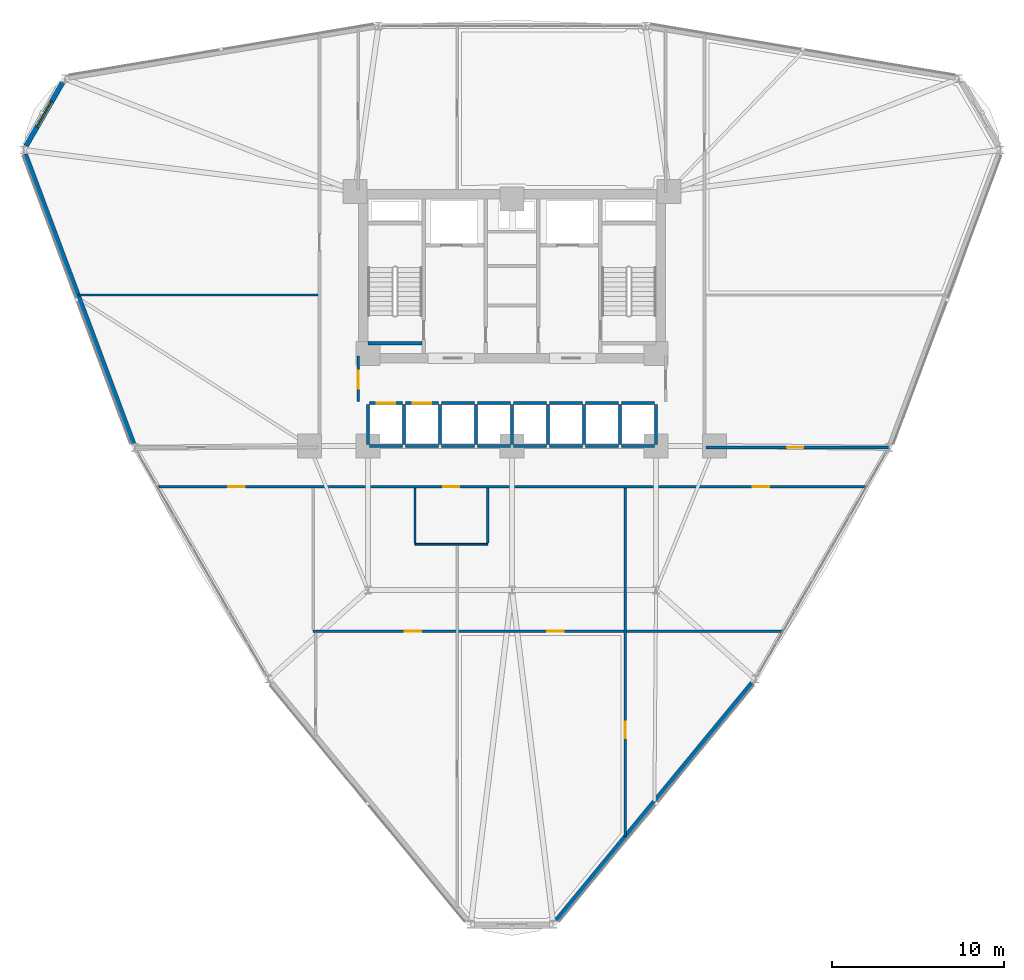
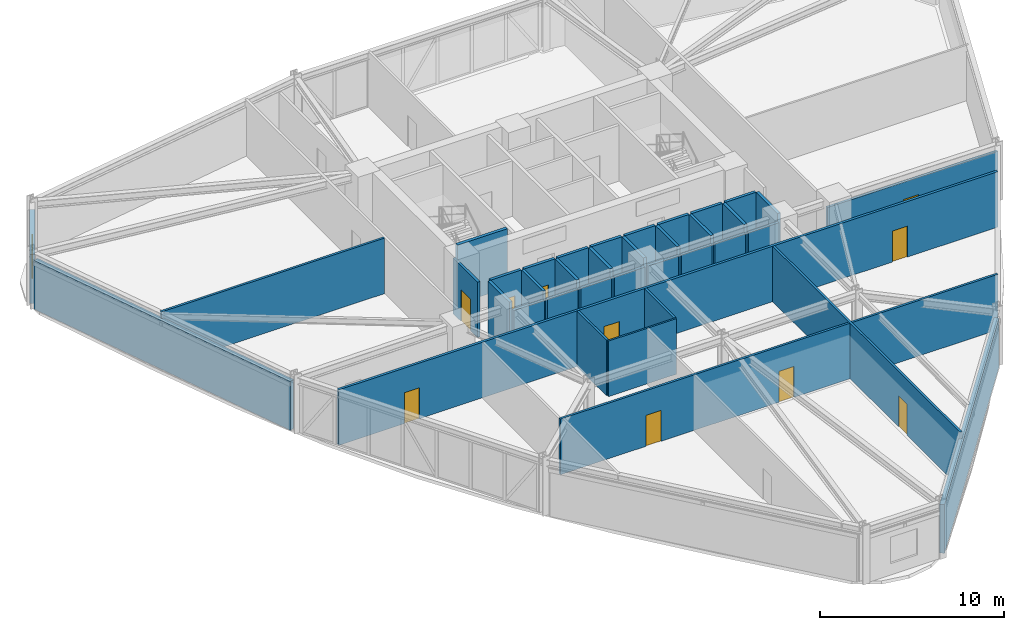
# One storey, part 16 of 22: 38 walls, 10 doors, 1 window, 11 openings.
"""IFC4 building model written with IfcOpenShell, lengths in metres."""

import ifcopenshell
import ifcopenshell.guid

model = None  # the IFC model being written
_history = None  # IfcOwnerHistory: only IFC2X3 demands one
_inside = {}  # id of a spatial element -> (the spatial element, [elements in it])
_under = {}  # id of a project, library or spatial element -> (it, [spatial elements below it])
_declared = {}  # id of a project -> (the project, [libraries it declares])
_typed = {}  # id of a type object -> (the type object, [elements of that type])
_made_of = {}  # id of a material, layer set ... -> (it, [elements and type objects made of it])


def new_model(schema):
    """Start an empty IFC model of exactly this schema.

    Asked for "IFC4X3", IfcOpenShell would pick the latest addendum, in which some entities
    have other attributes; the version numbers below select the first issue.
    IFC2X3 requires an IfcOwnerHistory on every rooted entity: one is made here for all.
    """
    global model, _history
    if schema == "IFC4X3":
        model = ifcopenshell.file(schema_version=(4, 3, 0, 0))
    else:
        model = ifcopenshell.file(schema=schema)
    _inside.clear()
    _under.clear()
    _declared.clear()
    _typed.clear()
    _made_of.clear()
    _history = None
    if model.schema == "IFC2X3":
        org = make("IfcOrganization", Name="unknown")
        user = make(
            "IfcPersonAndOrganization",
            ThePerson=make("IfcPerson", FamilyName="unknown"),
            TheOrganization=org,
        )
        app = make(
            "IfcApplication",
            ApplicationDeveloper=org,
            Version="unknown",
            ApplicationFullName="unknown",
            ApplicationIdentifier="unknown",
        )
        _history = make(
            "IfcOwnerHistory",
            OwningUser=user,
            OwningApplication=app,
            ChangeAction="ADDED",
            CreationDate=0,
        )
    return model


def make(cls, **values):
    """One entity of the class cls with the attributes given. An attribute that is None is left unset."""
    return model.create_entity(
        cls, **{name: value for name, value in values.items() if value is not None}
    )


def rooted(cls, **values):
    """An entity with a GlobalId (a new one), such as an element, a storey or a relation."""
    return make(cls, GlobalId=ifcopenshell.guid.new(), OwnerHistory=_history, **values)


def si_unit(unit_type, name, prefix=None):
    """IfcSIUnit, for example si_unit("LENGTHUNIT", "METRE", prefix="MILLI")."""
    return make("IfcSIUnit", UnitType=unit_type, Prefix=prefix, Name=name)


def derived_unit(unit_type, elements):
    """IfcDerivedUnit: a product of units, each with its exponent."""
    return make(
        "IfcDerivedUnit",
        Elements=[
            make("IfcDerivedUnitElement", Unit=unit, Exponent=power)
            for unit, power in elements
        ],
        UnitType=unit_type,
    )


def assignment(units):
    """IfcUnitAssignment: the units of a project."""
    return None if units is None else make("IfcUnitAssignment", Units=units)


def point(xyz):
    """IfcCartesianPoint."""
    return None if xyz is None else make("IfcCartesianPoint", Coordinates=xyz)


def direction(xyz):
    """IfcDirection."""
    return None if xyz is None else make("IfcDirection", DirectionRatios=xyz)


def frame(location, z_axis=None, x_axis=None):
    """IfcAxis2Placement3D, a coordinate frame: its origin and axes. An axis left out is left unset."""
    return make(
        "IfcAxis2Placement3D",
        Location=point(location),
        Axis=direction(z_axis),
        RefDirection=direction(x_axis),
    )


def frame_2d(location, x_axis=None):
    """IfcAxis2Placement2D, a coordinate frame in the plane: its origin and x axis."""
    return make(
        "IfcAxis2Placement2D", Location=point(location), RefDirection=direction(x_axis)
    )


def origin():
    """The frame at (0, 0, 0) with its axes left unset."""
    return frame((0.0, 0.0, 0.0))


def place(relative_to, where):
    """IfcLocalPlacement: puts the frame where relative to a parent placement (None: the world)."""
    return make(
        "IfcLocalPlacement", PlacementRelTo=relative_to, RelativePlacement=where
    )


def context(
    kind, dimensions, precision=None, world=None, true_north=None, identifier=None
):
    """IfcGeometricRepresentationContext, for example the 3D "Model" context."""
    return make(
        "IfcGeometricRepresentationContext",
        ContextIdentifier=identifier,
        ContextType=kind,
        CoordinateSpaceDimension=dimensions,
        Precision=precision,
        WorldCoordinateSystem=world,
        TrueNorth=true_north,
    )


def subcontext(parent, identifier, kind, view, scale=None):
    """IfcGeometricRepresentationSubContext, for example "Body" below "Model"."""
    return make(
        "IfcGeometricRepresentationSubContext",
        ContextIdentifier=identifier,
        ContextType=kind,
        ParentContext=parent,
        TargetScale=scale,
        TargetView=view,
    )


def project(units=None, contexts=None):
    """IfcProject with its units and contexts."""
    return rooted(
        "IfcProject",
        Name="project",
        RepresentationContexts=contexts,
        UnitsInContext=assignment(units),
    )


def spatial(cls, under=None, at=None, **own):
    """A site, building, storey or space (cls), placed at a placement, below another one or the project."""
    s = rooted(cls, ObjectPlacement=at, **own)
    if under is not None:
        _under.setdefault(under.id(), (under, []))[1].append(s)
    return s


def profile(cls, at=None, kind="AREA", **sizes):
    """A parametric profile (cls). Its sizes go by their IFC names, for example OverallWidth=200.0."""
    return make(cls, ProfileType=kind, Position=at, **sizes)


def rectangle(**sizes):
    """IfcRectangleProfileDef."""
    return profile("IfcRectangleProfileDef", **sizes)


def extrude(swept, where, along, depth):
    """IfcExtrudedAreaSolid: the profile swept, set in the frame where, extruded along a direction by depth."""
    return make(
        "IfcExtrudedAreaSolid",
        SweptArea=swept,
        Position=where,
        ExtrudedDirection=direction(along),
        Depth=depth,
    )


def shape(context_of_items, identifier, shape_type, items):
    """IfcShapeRepresentation: the items that make up one representation, for example the "Body"."""
    return make(
        "IfcShapeRepresentation",
        ContextOfItems=context_of_items,
        RepresentationIdentifier=identifier,
        RepresentationType=shape_type,
        Items=items,
    )


def material(Name=None, Category=None):
    """IfcMaterial."""
    return make("IfcMaterial", Name=Name, Category=Category)


def layer(
    of_material, thickness, ventilated=None, Name=None, Category=None, Priority=None
):
    """IfcMaterialLayer: one layer of a wall or slab, of a material (None: an air gap)."""
    return make(
        "IfcMaterialLayer",
        Material=of_material,
        LayerThickness=thickness,
        IsVentilated=ventilated,
        Name=Name,
        Category=Category,
        Priority=Priority,
    )


def layer_set(layers, Name=None):
    """IfcMaterialLayerSet."""
    return make("IfcMaterialLayerSet", MaterialLayers=layers, LayerSetName=Name)


def made_of(thing, what):
    """Note that an element or type object is made of a material, layer set ...; save() writes the relation."""
    if what is not None:
        _made_of.setdefault(what.id(), (what, []))[1].append(thing)
    return thing


def type_object(cls, material=None, **own):
    """A type object (cls), such as IfcWallType, which elements share."""
    return made_of(rooted(cls, **own), material)


def element(
    cls,
    number,
    at=None,
    inside=None,
    cuts=None,
    type_object=None,
    material=None,
    context=None,
    identifier="Body",
    shape_type=None,
    held_by="IfcProductDefinitionShape",
    body=None,
    shapes=None,
    **own,
):
    """One element of the class cls, such as IfcWall. Its Tag is "e" and its number.

    at: its placement. inside: the storey or other place that contains it. cuts: it is an
    opening in that element (IfcRelVoidsElement). A single representation is given by context,
    identifier, shape_type and body (its items); several are given by shapes. held_by: the class
    of the entity that holds the representations. save() writes the other relations.
    """
    e = rooted(cls, Tag="e%d" % number, ObjectPlacement=at, **own)
    if body is not None:
        shapes = [shape(context, identifier, shape_type, body)]
    if shapes is not None:
        e.Representation = make(held_by, Representations=shapes)
    if inside is not None:
        _inside.setdefault(inside.id(), (inside, []))[1].append(e)
    if cuts is not None:
        rooted(
            "IfcRelVoidsElement", RelatingBuildingElement=cuts, RelatedOpeningElement=e
        )
    if type_object is not None:
        _typed.setdefault(type_object.id(), (type_object, []))[1].append(e)
    return made_of(e, material)


def fill(opening, filler):
    """IfcRelFillsElement: the door or window that sits in an opening."""
    return rooted(
        "IfcRelFillsElement",
        RelatingOpeningElement=opening,
        RelatedBuildingElement=filler,
    )


def aggregate(whole, parts):
    """IfcRelAggregates: a whole, such as a stair, and the parts it consists of."""
    return rooted("IfcRelAggregates", RelatingObject=whole, RelatedObjects=parts)


def save(model, path):
    """Write the relations noted so far, then the file.

    IfcRelAggregates (storeys below a building ...), IfcRelContainedInSpatialStructure (elements
    in a storey), IfcRelDefinesByType, IfcRelAssociatesMaterial and IfcRelDeclares: one each for
    every whole, place, type object, material and project.
    """
    for whole, parts in _under.values():
        aggregate(whole, parts)
    for where, things in _inside.values():
        rooted(
            "IfcRelContainedInSpatialStructure",
            RelatedElements=things,
            RelatingStructure=where,
        )
    for kind, things in _typed.values():
        rooted("IfcRelDefinesByType", RelatedObjects=things, RelatingType=kind)
    for what, things in _made_of.values():
        rooted("IfcRelAssociatesMaterial", RelatedObjects=things, RelatingMaterial=what)
    for by, libraries in _declared.values():
        rooted("IfcRelDeclares", RelatingContext=by, RelatedDefinitions=libraries)
    model.write(path)


model = new_model("IFC4")

# Units and contexts
model_context = context("Model", 3, precision=1e-05, world=origin(), true_north=direction((0.0, 1.0)))
body_context = subcontext(model_context, "Body", "Model", "MODEL_VIEW")
ifc_project = project(units=[si_unit("LENGTHUNIT", "METRE"), si_unit("AREAUNIT", "SQUARE_METRE"), si_unit("VOLUMEUNIT", "CUBIC_METRE"), si_unit("PLANEANGLEUNIT", "RADIAN"), si_unit("MASSUNIT", "GRAM", prefix="KILO"), derived_unit("THERMALTRANSMITTANCEUNIT", [(si_unit("POWERUNIT", "WATT"), 1), (si_unit("LENGTHUNIT", "METRE"), -2), (si_unit("THERMODYNAMICTEMPERATUREUNIT", "KELVIN"), -1)])], contexts=[model_context])

# Site, building, storey
site_placement = place(None, origin())
site = spatial("IfcSite", under=ifc_project, at=site_placement, CompositionType="ELEMENT")
building_placement = place(site_placement, origin())
building = spatial("IfcBuilding", under=site, at=building_placement, Name="Korsvarv Bourse and Concert Hall", CompositionType="ELEMENT")
storey_placement = place(building_placement, frame((0.0, 0.0, 51.300048828125)))
storey = spatial("IfcBuildingStorey", under=building, at=storey_placement, Name="L12", CompositionType="ELEMENT", Elevation=51.300048828125)

# Wall
ifc_material_1 = material(Name="Concrete C50/60", Category="concrete")
ifc_layer_1 = layer(ifc_material_1, 0.3798828125)
ifc_layer_set_1 = layer_set([ifc_layer_1], Name="Concrete C50/60")
wall_type_1 = type_object("IfcWallType", Name="WL-CORE-380", PredefinedType="SHEAR", material=ifc_layer_set_1)
wall_1_placement = place(storey_placement, frame((27.610107421875, 38.39990234375, 0.0), z_axis=(0.0, 0.0, 1.0), x_axis=(1.0, 0.0, 0.0)))
element("IfcWall", 1, at=wall_1_placement, inside=storey, type_object=wall_type_1, Name="L12 stair shaft structural wall W-L12-ST1-S", PredefinedType="SHEAR", context=body_context, shape_type="SweptSolid", body=[
    extrude(rectangle(XDim=3.139892578125, YDim=0.199951171875, at=frame_2d((1.56982421875, 0.0))), origin(), (0.0, 0.0, 1.0), 3.89990234375),
])

# Wall, opening, window
ifc_material_2 = material(Name="Precast concrete C45/55 with terracotta rainscreen", Category="concrete")
ifc_layer_2 = layer(ifc_material_2, 0.300048828125)
ifc_layer_set_2 = layer_set([ifc_layer_2], Name="Precast concrete C45/55 with terracotta rainscreen")
wall_type_2 = type_object("IfcWallType", Name="WL-EXT-TC1", PredefinedType="SOLIDWALL", material=ifc_layer_set_2)
wall_2_placement = place(storey_placement, frame((9.791015625, 53.58642578125, 0.0), z_axis=(0.0, 0.0, 1.0), x_axis=(-0.500017365573, -0.866015377534, 0.0)))
wall_2 = element("IfcWall", 2, at=wall_2_placement, inside=storey, type_object=wall_type_2, Name="L12 terracotta exterior wall EW-L12-B05", PredefinedType="SOLIDWALL", context=body_context, shape_type="SweptSolid", body=[
    extrude(rectangle(XDim=4.251708984375, YDim=0.300048828125, at=frame_2d((2.1259765625, 0.0))), origin(), (0.0, 0.0, 1.0), 3.22998046875),
])
opening_1_placement = place(wall_2_placement, frame((1.27587890625, 0.0, 0.75)))
opening_1 = element("IfcOpeningElement", 3, at=opening_1_placement, cuts=wall_2, Name="Opening W-01", PredefinedType="OPENING", context=body_context, shape_type="SweptSolid", body=[
    extrude(rectangle(XDim=1.699951171875, YDim=1.75, at=frame_2d((0.85009765625, 0.875))), frame((0.0, 0.16015625, 0.0), z_axis=(0.0, -1.0, 0.0), x_axis=(1.0, 0.0, 0.0)), (0.0, 0.0, 1.0), 0.320068359375),
])
ifc_material_3 = material(Name="Thermally broken aluminium frame with triple low-E glass", Category="glass")
window_type = type_object("IfcWindowType", Name="WIN-TW1", PartitioningType="SINGLE_PANEL", PredefinedType="WINDOW", material=ifc_material_3)
window_placement = place(opening_1_placement, origin())
window = element("IfcWindow", 4, at=window_placement, inside=storey, type_object=window_type, Name="L12 punched facade window W-01", OverallHeight=1.75, OverallWidth=1.699951171875, PartitioningType="SINGLE_PANEL", PredefinedType="WINDOW", context=body_context, shape_type="SweptSolid", body=[
    extrude(rectangle(XDim=1.699951171875, YDim=1.75, at=frame_2d((0.85009765625, 0.875))), frame((0.0, 0.030029296875, 0.0), z_axis=(0.0, -1.0, 0.0), x_axis=(1.0, 0.0, 0.0)), (0.0, 0.0, 1.0), 0.06005859375),
])
fill(opening_1, window)

# Walls
ifc_material_4 = material(Name="Precast concrete C45/55 with fluted terracotta pier", Category="concrete")
ifc_layer_3 = layer(ifc_material_4, 0.280029296875)
ifc_layer_set_3 = layer_set([ifc_layer_3], Name="Precast concrete C45/55 with fluted terracotta pier")
wall_type_3 = type_object("IfcWallType", Name="WL-EXT-TC2", PredefinedType="SOLIDWALL", material=ifc_layer_set_3)
wall_3_placement = place(storey_placement, frame((7.615966796875, 49.42041015625, 0.0), z_axis=(0.0, 0.0, 1.0), x_axis=(0.350140465982, -0.936697205121, 0.0)))
element("IfcWall", 5, at=wall_3_placement, inside=storey, type_object=wall_type_3, Name="L12 terracotta exterior wall EW-L12-B06", PredefinedType="SOLIDWALL", context=body_context, shape_type="SweptSolid", body=[
    extrude(rectangle(XDim=18.022216796875, YDim=0.280029296875, at=frame_2d((9.01123046875, 0.0))), origin(), (0.0, 0.0, 1.0), 3.22998046875),
])
wall_4_placement = place(storey_placement, frame((38.604736328125, 4.751220703125, 0.0), z_axis=(0.0, 0.0, 1.0), x_axis=(0.636134749951, 0.771577980443, 0.0)))
element("IfcWall", 6, at=wall_4_placement, inside=storey, type_object=wall_type_3, Name="L12 terracotta exterior wall EW-L12-B10", PredefinedType="SOLIDWALL", context=body_context, shape_type="SweptSolid", body=[
    extrude(rectangle(XDim=17.911865234375, YDim=0.280029296875, at=frame_2d((8.9560546875, 0.0))), origin(), (0.0, 0.0, 1.0), 3.22998046875),
])

# Wall, opening, door
ifc_material_5 = material(Name="Double-stud fire-rated acoustic partition", Category="gypsum")
ifc_layer_4 = layer(ifc_material_5, 0.159912109375)
ifc_layer_set_4 = layer_set([ifc_layer_4], Name="Double-stud fire-rated acoustic partition")
wall_type_4 = type_object("IfcWallType", Name="WL-INT-EI60", PredefinedType="PARTITIONING", material=ifc_layer_set_4)
wall_5_placement = place(storey_placement, frame((27.0400390625, 35.0, 0.0), z_axis=(0.0, 0.0, 1.0), x_axis=(0.0, 1.0, 0.0)))
wall_5 = element("IfcWall", 7, at=wall_5_placement, inside=storey, type_object=wall_type_4, Name="L12 interior partition wall W-L12-LOB-W", PredefinedType="PARTITIONING", context=body_context, shape_type="SweptSolid", body=[
    extrude(rectangle(XDim=2.64990234375, YDim=0.159912109375, at=frame_2d((1.324951171875, 0.0))), origin(), (0.0, 0.0, 1.0), 3.679931640625),
])
opening_2_placement = place(wall_5_placement, frame((0.75, 0.0, 0.0)))
opening_2 = element("IfcOpeningElement", 8, at=opening_2_placement, cuts=wall_5, Name="Opening D-01", PredefinedType="OPENING", context=body_context, shape_type="SweptSolid", body=[
    extrude(rectangle(XDim=1.050048828125, YDim=2.10009765625, at=frame_2d((0.52490234375, 1.050048828125))), frame((0.0, 0.08984375, 0.0), z_axis=(0.0, -1.0, 0.0), x_axis=(1.0, 0.0, 0.0)), (0.0, 0.0, 1.0), 0.179931640625),
])
ifc_material_6 = material(Name="Steel S355 fire door", Category="steel")
door_type_1 = type_object("IfcDoorType", Name="DR-FD60", OperationType="NOTDEFINED", PredefinedType="DOOR", material=ifc_material_6)
door_1_placement = place(opening_2_placement, frame((1.050048828125, 0.0, 0.0), z_axis=(0.0, 0.0, 1.0), x_axis=(-1.0, 0.0, 0.0)))
door_1 = element("IfcDoor", 9, at=door_1_placement, inside=storey, type_object=door_type_1, Name="L12 interior door DR-L12-LOBW", OperationType="SINGLE_SWING_RIGHT", OverallHeight=2.10009765625, OverallWidth=1.050048828125, PredefinedType="DOOR", context=body_context, shape_type="SweptSolid", body=[
    extrude(rectangle(XDim=1.050048828125, YDim=2.10009765625, at=frame_2d((0.52490234375, 1.050048828125))), frame((0.0, 0.02490234375, 0.0), z_axis=(0.0, -1.0, 0.0), x_axis=(1.0, 0.0, 0.0)), (0.0, 0.0, 1.0), 0.050048828125),
])
fill(opening_2, door_1)

# Wall, openings, doors
wall_6_placement = place(storey_placement, frame((15.348388671875, 30.02490234375, 0.0), z_axis=(0.0, 0.0, 1.0), x_axis=(1.0, 0.0, 0.0)))
wall_6 = element("IfcWall", 10, at=wall_6_placement, inside=storey, type_object=wall_type_4, Name="L12 interior partition wall W-L12-TCOR-01", PredefinedType="PARTITIONING", context=body_context, shape_type="SweptSolid", body=[
    extrude(rectangle(XDim=41.30322265625, YDim=0.159912109375, at=frame_2d((20.651611328125, 0.0))), origin(), (0.0, 0.0, 1.0), 3.679931640625),
])
opening_3_placement = place(wall_6_placement, frame((16.636474609375, 0.0, 0.0)))
opening_3 = element("IfcOpeningElement", 11, at=opening_3_placement, cuts=wall_6, Name="Opening D-02", PredefinedType="OPENING", context=body_context, shape_type="SweptSolid", body=[
    extrude(rectangle(XDim=0.949951171875, YDim=2.050048828125, at=frame_2d((0.47509765625, 1.02490234375))), frame((0.0, 0.08984375, 0.0), z_axis=(0.0, -1.0, 0.0), x_axis=(1.0, 0.0, 0.0)), (0.0, 0.0, 1.0), 0.179931640625),
])
opening_4_placement = place(wall_6_placement, frame((4.119873046875, 0.0, 0.0)))
opening_4 = element("IfcOpeningElement", 12, at=opening_4_placement, cuts=wall_6, Name="Opening D-02", PredefinedType="OPENING", context=body_context, shape_type="SweptSolid", body=[
    extrude(rectangle(XDim=0.949951171875, YDim=2.050048828125, at=frame_2d((0.47509765625, 1.02490234375))), frame((0.0, 0.08984375, 0.0), z_axis=(0.0, -1.0, 0.0), x_axis=(1.0, 0.0, 0.0)), (0.0, 0.0, 1.0), 0.179931640625),
])
opening_5_placement = place(wall_6_placement, frame((34.68994140625, 0.0, 0.0)))
opening_5 = element("IfcOpeningElement", 13, at=opening_5_placement, cuts=wall_6, Name="Opening D-02", PredefinedType="OPENING", context=body_context, shape_type="SweptSolid", body=[
    extrude(rectangle(XDim=0.949951171875, YDim=2.050048828125, at=frame_2d((0.47509765625, 1.02490234375))), frame((0.0, 0.08984375, 0.0), z_axis=(0.0, -1.0, 0.0), x_axis=(1.0, 0.0, 0.0)), (0.0, 0.0, 1.0), 0.179931640625),
])
ifc_material_7 = material(Name="Timber and steel acoustic fire door", Category="wood")
door_type_2 = type_object("IfcDoorType", Name="DR-FD30", OperationType="NOTDEFINED", PredefinedType="DOOR", material=ifc_material_7)
door_2_placement = place(opening_3_placement, origin())
door_2 = element("IfcDoor", 14, at=door_2_placement, inside=storey, type_object=door_type_2, Name="L12 interior door DR-L12-TCOR-RWC", OperationType="SINGLE_SWING_RIGHT", OverallHeight=2.050048828125, OverallWidth=0.949951171875, PredefinedType="DOOR", context=body_context, shape_type="SweptSolid", body=[
    extrude(rectangle(XDim=0.949951171875, YDim=2.050048828125, at=frame_2d((0.47509765625, 1.02490234375))), frame((0.0, 0.02490234375, 0.0), z_axis=(0.0, -1.0, 0.0), x_axis=(1.0, 0.0, 0.0)), (0.0, 0.0, 1.0), 0.050048828125),
])
fill(opening_3, door_2)
door_3_placement = place(opening_4_placement, origin())
door_3 = element("IfcDoor", 15, at=door_3_placement, inside=storey, type_object=door_type_2, Name="L12 interior door DR-L12-TCOR-MF13", OperationType="SINGLE_SWING_LEFT", OverallHeight=2.050048828125, OverallWidth=0.949951171875, PredefinedType="DOOR", context=body_context, shape_type="SweptSolid", body=[
    extrude(rectangle(XDim=0.949951171875, YDim=2.050048828125, at=frame_2d((0.47509765625, 1.02490234375))), frame((0.0, 0.02490234375, 0.0), z_axis=(0.0, -1.0, 0.0), x_axis=(1.0, 0.0, 0.0)), (0.0, 0.0, 1.0), 0.050048828125),
])
fill(opening_4, door_3)
door_4_placement = place(opening_5_placement, origin())
door_4 = element("IfcDoor", 16, at=door_4_placement, inside=storey, type_object=door_type_2, Name="L12 interior door DR-L12-TCOR-MF49", OperationType="SINGLE_SWING_RIGHT", OverallHeight=2.050048828125, OverallWidth=0.949951171875, PredefinedType="DOOR", context=body_context, shape_type="SweptSolid", body=[
    extrude(rectangle(XDim=0.949951171875, YDim=2.050048828125, at=frame_2d((0.47509765625, 1.02490234375))), frame((0.0, 0.02490234375, 0.0), z_axis=(0.0, -1.0, 0.0), x_axis=(1.0, 0.0, 0.0)), (0.0, 0.0, 1.0), 0.050048828125),
])
fill(opening_5, door_4)

# Wall, opening, door
wall_7_placement = place(storey_placement, frame((47.306884765625, 32.31494140625, 0.0), z_axis=(0.0, 0.0, 1.0), x_axis=(1.0, 0.0, 0.0)))
wall_7 = element("IfcWall", 17, at=wall_7_placement, inside=storey, type_object=wall_type_4, Name="L12 interior partition wall W-L12-TCOR-05", PredefinedType="PARTITIONING", context=body_context, shape_type="SweptSolid", body=[
    extrude(rectangle(XDim=10.6630859375, YDim=0.159912109375, at=frame_2d((5.33154296875, 0.0))), origin(), (0.0, 0.0, 1.0), 3.179931640625),
])
opening_6_placement = place(wall_7_placement, frame((4.739013671875, 0.0, 0.0)))
opening_6 = element("IfcOpeningElement", 18, at=opening_6_placement, cuts=wall_7, Name="Opening D-02", PredefinedType="OPENING", context=body_context, shape_type="SweptSolid", body=[
    extrude(rectangle(XDim=0.949951171875, YDim=2.050048828125, at=frame_2d((0.47509765625, 1.02490234375))), frame((0.0, 0.08984375, 0.0), z_axis=(0.0, -1.0, 0.0), x_axis=(1.0, 0.0, 0.0)), (0.0, 0.0, 1.0), 0.179931640625),
])
door_5_placement = place(opening_6_placement, origin())
door_5 = element("IfcDoor", 19, at=door_5_placement, inside=storey, type_object=door_type_2, Name="L12 interior door DR-L12-TCOR-MF91", OperationType="SINGLE_SWING_RIGHT", OverallHeight=2.050048828125, OverallWidth=0.949951171875, PredefinedType="DOOR", context=body_context, shape_type="SweptSolid", body=[
    extrude(rectangle(XDim=0.949951171875, YDim=2.050048828125, at=frame_2d((0.47509765625, 1.02490234375))), frame((0.0, 0.02490234375, 0.0), z_axis=(0.0, -1.0, 0.0), x_axis=(1.0, 0.0, 0.0)), (0.0, 0.0, 1.0), 0.050048828125),
])
fill(opening_6, door_5)

ifc_material_8 = material(Name="Gypsum-clad autoclaved concrete shaft wall C30/37", Category="concrete")
ifc_layer_5 = layer(ifc_material_8, 0.179931640625)
ifc_layer_set_5 = layer_set([ifc_layer_5], Name="Gypsum-clad autoclaved concrete shaft wall C30/37")
wall_type_5 = type_object("IfcWallType", Name="WL-INT-EI90", PredefinedType="PARTITIONING", material=ifc_layer_set_5)
wall_8_placement = place(storey_placement, frame((27.68994140625, 34.89990234375, 0.0), z_axis=(0.0, 0.0, 1.0), x_axis=(1.0, 0.0, 0.0)))
wall_8 = element("IfcWall", 20, at=wall_8_placement, inside=storey, type_object=wall_type_5, Name="L12 interior partition wall W-L12-SHFN-PL1", PredefinedType="PARTITIONING", context=body_context, shape_type="SweptSolid", body=[
    extrude(rectangle(XDim=1.920166015625, YDim=0.179931640625, at=frame_2d((0.9599609375, 0.0))), origin(), (0.0, 0.0, 1.0), 3.679931640625),
])
opening_7_placement = place(wall_8_placement, frame((0.409912109375, 0.0, 0.0)))
opening_7 = element("IfcOpeningElement", 21, at=opening_7_placement, cuts=wall_8, Name="Opening LD-2", PredefinedType="OPENING", context=body_context, shape_type="SweptSolid", body=[
    extrude(rectangle(XDim=1.10009765625, YDim=2.10009765625, at=frame_2d((0.550048828125, 1.050048828125))), frame((0.0, 0.10009765625, 0.0), z_axis=(0.0, -1.0, 0.0), x_axis=(1.0, 0.0, 0.0)), (0.0, 0.0, 1.0), 0.199951171875),
])
ifc_material_9 = material(Name="Brushed stainless Steel S355 lift landing door", Category="steel")
door_type_3 = type_object("IfcDoorType", Name="DR-LIFT-P", OperationType="DOUBLE_DOOR_SLIDING", PredefinedType="DOOR", material=ifc_material_9)
door_6_placement = place(opening_7_placement, origin())
door_6 = element("IfcDoor", 22, at=door_6_placement, inside=storey, type_object=door_type_3, Name="L12 lift sliding landing door LD-L12-PL1", OperationType="DOUBLE_DOOR_SLIDING", OverallHeight=2.10009765625, OverallWidth=1.10009765625, PredefinedType="DOOR", context=body_context, shape_type="SweptSolid", body=[
    extrude(rectangle(XDim=1.10009765625, YDim=2.10009765625, at=frame_2d((0.550048828125, 1.050048828125))), frame((0.0, 0.02490234375, 0.0), z_axis=(0.0, -1.0, 0.0), x_axis=(1.0, 0.0, 0.0)), (0.0, 0.0, 1.0), 0.050048828125),
])
fill(opening_7, door_6)

# Walls
wall_9_placement = place(storey_placement, frame((27.68994140625, 32.39990234375, 0.0), z_axis=(0.0, 0.0, 1.0), x_axis=(1.0, 0.0, 0.0)))
element("IfcWall", 23, at=wall_9_placement, inside=storey, type_object=wall_type_5, Name="L12 interior partition wall W-L12-SHFS-PL1", PredefinedType="PARTITIONING", context=body_context, shape_type="SweptSolid", body=[
    extrude(rectangle(XDim=1.920166015625, YDim=0.179931640625, at=frame_2d((0.9599609375, 0.0))), origin(), (0.0, 0.0, 1.0), 3.179931640625),
])
wall_10_placement = place(storey_placement, frame((27.60009765625, 32.489990234375, 0.0), z_axis=(0.0, 0.0, 1.0), x_axis=(0.0, 1.0, 0.0)))
element("IfcWall", 24, at=wall_10_placement, inside=storey, type_object=wall_type_5, Name="L12 interior partition wall W-L12-SHFW-PL1", PredefinedType="PARTITIONING", context=body_context, shape_type="SweptSolid", body=[
    extrude(rectangle(XDim=2.320068359375, YDim=0.179931640625, at=frame_2d((1.16015625, 0.0))), origin(), (0.0, 0.0, 1.0), 3.679931640625),
])

# Wall, opening, door
wall_11_placement = place(storey_placement, frame((29.7900390625, 34.89990234375, 0.0), z_axis=(0.0, 0.0, 1.0), x_axis=(1.0, 0.0, 0.0)))
wall_11 = element("IfcWall", 25, at=wall_11_placement, inside=storey, type_object=wall_type_5, Name="L12 interior partition wall W-L12-SHFN-PL2", PredefinedType="PARTITIONING", context=body_context, shape_type="SweptSolid", body=[
    extrude(rectangle(XDim=1.919921875, YDim=0.179931640625, at=frame_2d((0.9599609375, 0.0))), origin(), (0.0, 0.0, 1.0), 3.679931640625),
])
opening_8_placement = place(wall_11_placement, frame((0.409912109375, 0.0, 0.0)))
opening_8 = element("IfcOpeningElement", 26, at=opening_8_placement, cuts=wall_11, Name="Opening LD-2", PredefinedType="OPENING", context=body_context, shape_type="SweptSolid", body=[
    extrude(rectangle(XDim=1.10009765625, YDim=2.10009765625, at=frame_2d((0.550048828125, 1.050048828125))), frame((0.0, 0.10009765625, 0.0), z_axis=(0.0, -1.0, 0.0), x_axis=(1.0, 0.0, 0.0)), (0.0, 0.0, 1.0), 0.199951171875),
])
door_7_placement = place(opening_8_placement, origin())
door_7 = element("IfcDoor", 27, at=door_7_placement, inside=storey, type_object=door_type_3, Name="L12 lift sliding landing door LD-L12-PL2", OperationType="DOUBLE_DOOR_SLIDING", OverallHeight=2.10009765625, OverallWidth=1.10009765625, PredefinedType="DOOR", context=body_context, shape_type="SweptSolid", body=[
    extrude(rectangle(XDim=1.10009765625, YDim=2.10009765625, at=frame_2d((0.550048828125, 1.050048828125))), frame((0.0, 0.02490234375, 0.0), z_axis=(0.0, -1.0, 0.0), x_axis=(1.0, 0.0, 0.0)), (0.0, 0.0, 1.0), 0.050048828125),
])
fill(opening_8, door_7)

# Walls
wall_12_placement = place(storey_placement, frame((29.7900390625, 32.39990234375, 0.0), z_axis=(0.0, 0.0, 1.0), x_axis=(1.0, 0.0, 0.0)))
element("IfcWall", 28, at=wall_12_placement, inside=storey, type_object=wall_type_5, Name="L12 interior partition wall W-L12-SHFS-PL2", PredefinedType="PARTITIONING", context=body_context, shape_type="SweptSolid", body=[
    extrude(rectangle(XDim=1.919921875, YDim=0.179931640625, at=frame_2d((0.9599609375, 0.0))), origin(), (0.0, 0.0, 1.0), 3.179931640625),
])
wall_13_placement = place(storey_placement, frame((29.699951171875, 32.489990234375, 0.0), z_axis=(0.0, 0.0, 1.0), x_axis=(0.0, 1.0, 0.0)))
element("IfcWall", 29, at=wall_13_placement, inside=storey, type_object=wall_type_5, Name="L12 interior partition wall W-L12-SHFW-PL2", PredefinedType="PARTITIONING", context=body_context, shape_type="SweptSolid", body=[
    extrude(rectangle(XDim=2.320068359375, YDim=0.179931640625, at=frame_2d((1.16015625, 0.0))), origin(), (0.0, 0.0, 1.0), 3.679931640625),
])
wall_14_placement = place(storey_placement, frame((31.889892578125, 34.89990234375, 0.0), z_axis=(0.0, 0.0, 1.0), x_axis=(1.0, 0.0, 0.0)))
element("IfcWall", 30, at=wall_14_placement, inside=storey, type_object=wall_type_5, Name="L12 interior partition wall W-L12-SHFN-PM1", PredefinedType="PARTITIONING", context=body_context, shape_type="SweptSolid", body=[
    extrude(rectangle(XDim=1.920166015625, YDim=0.179931640625, at=frame_2d((0.9599609375, 0.0))), origin(), (0.0, 0.0, 1.0), 3.679931640625),
])
wall_15_placement = place(storey_placement, frame((31.889892578125, 32.39990234375, 0.0), z_axis=(0.0, 0.0, 1.0), x_axis=(1.0, 0.0, 0.0)))
element("IfcWall", 31, at=wall_15_placement, inside=storey, type_object=wall_type_5, Name="L12 interior partition wall W-L12-SHFS-PM1", PredefinedType="PARTITIONING", context=body_context, shape_type="SweptSolid", body=[
    extrude(rectangle(XDim=1.920166015625, YDim=0.179931640625, at=frame_2d((0.9599609375, 0.0))), origin(), (0.0, 0.0, 1.0), 3.179931640625),
])
wall_16_placement = place(storey_placement, frame((31.800048828125, 32.489990234375, 0.0), z_axis=(0.0, 0.0, 1.0), x_axis=(0.0, 1.0, 0.0)))
element("IfcWall", 32, at=wall_16_placement, inside=storey, type_object=wall_type_5, Name="L12 interior partition wall W-L12-SHFW-PM1", PredefinedType="PARTITIONING", context=body_context, shape_type="SweptSolid", body=[
    extrude(rectangle(XDim=2.320068359375, YDim=0.179931640625, at=frame_2d((1.16015625, 0.0))), origin(), (0.0, 0.0, 1.0), 3.679931640625),
])
wall_17_placement = place(storey_placement, frame((33.989990234375, 34.89990234375, 0.0), z_axis=(0.0, 0.0, 1.0), x_axis=(1.0, 0.0, 0.0)))
element("IfcWall", 33, at=wall_17_placement, inside=storey, type_object=wall_type_5, Name="L12 interior partition wall W-L12-SHFN-PM2", PredefinedType="PARTITIONING", context=body_context, shape_type="SweptSolid", body=[
    extrude(rectangle(XDim=1.919921875, YDim=0.179931640625, at=frame_2d((0.9599609375, 0.0))), origin(), (0.0, 0.0, 1.0), 3.679931640625),
])
wall_18_placement = place(storey_placement, frame((33.989990234375, 32.39990234375, 0.0), z_axis=(0.0, 0.0, 1.0), x_axis=(1.0, 0.0, 0.0)))
element("IfcWall", 34, at=wall_18_placement, inside=storey, type_object=wall_type_5, Name="L12 interior partition wall W-L12-SHFS-PM2", PredefinedType="PARTITIONING", context=body_context, shape_type="SweptSolid", body=[
    extrude(rectangle(XDim=1.919921875, YDim=0.179931640625, at=frame_2d((0.9599609375, 0.0))), origin(), (0.0, 0.0, 1.0), 3.179931640625),
])
wall_19_placement = place(storey_placement, frame((33.89990234375, 32.489990234375, 0.0), z_axis=(0.0, 0.0, 1.0), x_axis=(0.0, 1.0, 0.0)))
element("IfcWall", 35, at=wall_19_placement, inside=storey, type_object=wall_type_5, Name="L12 interior partition wall W-L12-SHFW-PM2", PredefinedType="PARTITIONING", context=body_context, shape_type="SweptSolid", body=[
    extrude(rectangle(XDim=2.320068359375, YDim=0.179931640625, at=frame_2d((1.16015625, 0.0))), origin(), (0.0, 0.0, 1.0), 3.679931640625),
])
wall_20_placement = place(storey_placement, frame((36.090087890625, 34.89990234375, 0.0), z_axis=(0.0, 0.0, 1.0), x_axis=(1.0, 0.0, 0.0)))
element("IfcWall", 36, at=wall_20_placement, inside=storey, type_object=wall_type_5, Name="L12 interior partition wall W-L12-SHFN-PH1", PredefinedType="PARTITIONING", context=body_context, shape_type="SweptSolid", body=[
    extrude(rectangle(XDim=1.919921875, YDim=0.179931640625, at=frame_2d((0.9599609375, 0.0))), origin(), (0.0, 0.0, 1.0), 3.679931640625),
])
wall_21_placement = place(storey_placement, frame((36.090087890625, 32.39990234375, 0.0), z_axis=(0.0, 0.0, 1.0), x_axis=(1.0, 0.0, 0.0)))
element("IfcWall", 37, at=wall_21_placement, inside=storey, type_object=wall_type_5, Name="L12 interior partition wall W-L12-SHFS-PH1", PredefinedType="PARTITIONING", context=body_context, shape_type="SweptSolid", body=[
    extrude(rectangle(XDim=1.919921875, YDim=0.179931640625, at=frame_2d((0.9599609375, 0.0))), origin(), (0.0, 0.0, 1.0), 3.179931640625),
])
wall_22_placement = place(storey_placement, frame((36.0, 32.489990234375, 0.0), z_axis=(0.0, 0.0, 1.0), x_axis=(0.0, 1.0, 0.0)))
element("IfcWall", 38, at=wall_22_placement, inside=storey, type_object=wall_type_5, Name="L12 interior partition wall W-L12-SHFW-PH1", PredefinedType="PARTITIONING", context=body_context, shape_type="SweptSolid", body=[
    extrude(rectangle(XDim=2.320068359375, YDim=0.179931640625, at=frame_2d((1.16015625, 0.0))), origin(), (0.0, 0.0, 1.0), 3.679931640625),
])
wall_23_placement = place(storey_placement, frame((38.18994140625, 34.89990234375, 0.0), z_axis=(0.0, 0.0, 1.0), x_axis=(1.0, 0.0, 0.0)))
element("IfcWall", 39, at=wall_23_placement, inside=storey, type_object=wall_type_5, Name="L12 interior partition wall W-L12-SHFN-PH2", PredefinedType="PARTITIONING", context=body_context, shape_type="SweptSolid", body=[
    extrude(rectangle(XDim=1.920166015625, YDim=0.179931640625, at=frame_2d((0.9599609375, 0.0))), origin(), (0.0, 0.0, 1.0), 3.679931640625),
])
wall_24_placement = place(storey_placement, frame((38.18994140625, 32.39990234375, 0.0), z_axis=(0.0, 0.0, 1.0), x_axis=(1.0, 0.0, 0.0)))
element("IfcWall", 40, at=wall_24_placement, inside=storey, type_object=wall_type_5, Name="L12 interior partition wall W-L12-SHFS-PH2", PredefinedType="PARTITIONING", context=body_context, shape_type="SweptSolid", body=[
    extrude(rectangle(XDim=1.920166015625, YDim=0.179931640625, at=frame_2d((0.9599609375, 0.0))), origin(), (0.0, 0.0, 1.0), 3.179931640625),
])
wall_25_placement = place(storey_placement, frame((38.10009765625, 32.489990234375, 0.0), z_axis=(0.0, 0.0, 1.0), x_axis=(0.0, 1.0, 0.0)))
element("IfcWall", 41, at=wall_25_placement, inside=storey, type_object=wall_type_5, Name="L12 interior partition wall W-L12-SHFW-PH2", PredefinedType="PARTITIONING", context=body_context, shape_type="SweptSolid", body=[
    extrude(rectangle(XDim=2.320068359375, YDim=0.179931640625, at=frame_2d((1.16015625, 0.0))), origin(), (0.0, 0.0, 1.0), 3.679931640625),
])
wall_26_placement = place(storey_placement, frame((40.2900390625, 34.89990234375, 0.0), z_axis=(0.0, 0.0, 1.0), x_axis=(1.0, 0.0, 0.0)))
element("IfcWall", 42, at=wall_26_placement, inside=storey, type_object=wall_type_5, Name="L12 interior partition wall W-L12-SHFN-PO1", PredefinedType="PARTITIONING", context=body_context, shape_type="SweptSolid", body=[
    extrude(rectangle(XDim=1.919921875, YDim=0.179931640625, at=frame_2d((0.9599609375, 0.0))), origin(), (0.0, 0.0, 1.0), 3.679931640625),
])
wall_27_placement = place(storey_placement, frame((40.2900390625, 32.39990234375, 0.0), z_axis=(0.0, 0.0, 1.0), x_axis=(1.0, 0.0, 0.0)))
element("IfcWall", 43, at=wall_27_placement, inside=storey, type_object=wall_type_5, Name="L12 interior partition wall W-L12-SHFS-PO1", PredefinedType="PARTITIONING", context=body_context, shape_type="SweptSolid", body=[
    extrude(rectangle(XDim=1.919921875, YDim=0.179931640625, at=frame_2d((0.9599609375, 0.0))), origin(), (0.0, 0.0, 1.0), 3.179931640625),
])
wall_28_placement = place(storey_placement, frame((40.199951171875, 32.489990234375, 0.0), z_axis=(0.0, 0.0, 1.0), x_axis=(0.0, 1.0, 0.0)))
element("IfcWall", 44, at=wall_28_placement, inside=storey, type_object=wall_type_5, Name="L12 interior partition wall W-L12-SHFW-PO1", PredefinedType="PARTITIONING", context=body_context, shape_type="SweptSolid", body=[
    extrude(rectangle(XDim=2.320068359375, YDim=0.179931640625, at=frame_2d((1.16015625, 0.0))), origin(), (0.0, 0.0, 1.0), 3.679931640625),
])
wall_29_placement = place(storey_placement, frame((42.389892578125, 34.89990234375, 0.0), z_axis=(0.0, 0.0, 1.0), x_axis=(1.0, 0.0, 0.0)))
element("IfcWall", 45, at=wall_29_placement, inside=storey, type_object=wall_type_5, Name="L12 interior partition wall W-L12-SHFN-PO2", PredefinedType="PARTITIONING", context=body_context, shape_type="SweptSolid", body=[
    extrude(rectangle(XDim=1.920166015625, YDim=0.179931640625, at=frame_2d((0.9599609375, 0.0))), origin(), (0.0, 0.0, 1.0), 3.679931640625),
])
wall_30_placement = place(storey_placement, frame((42.389892578125, 32.39990234375, 0.0), z_axis=(0.0, 0.0, 1.0), x_axis=(1.0, 0.0, 0.0)))
element("IfcWall", 46, at=wall_30_placement, inside=storey, type_object=wall_type_5, Name="L12 interior partition wall W-L12-SHFS-PO2", PredefinedType="PARTITIONING", context=body_context, shape_type="SweptSolid", body=[
    extrude(rectangle(XDim=1.920166015625, YDim=0.179931640625, at=frame_2d((0.9599609375, 0.0))), origin(), (0.0, 0.0, 1.0), 3.179931640625),
])
for number, where, z_axis, x_axis, name in (
    (47, (42.300048828125, 32.489990234375, 0.0), (0.0, 0.0, 1.0), (0.0, 1.0, 0.0), "L12 interior partition wall W-L12-SHFW-PO2"),
    (48, (44.39990234375, 32.489990234375, 0.0), (0.0, 0.0, 1.0), (0.0, 1.0, 0.0), "L12 interior partition wall W-L12-SHFE-END"),
):
    element("IfcWall", number, at=place(storey_placement, frame(where, z_axis=z_axis, x_axis=x_axis)), inside=storey, type_object=wall_type_5, Name=name, PredefinedType="PARTITIONING", context=body_context, shape_type="SweptSolid", body=[
        extrude(rectangle(XDim=2.320068359375, YDim=0.179931640625, at=frame_2d((1.16015625, 0.0))), origin(), (0.0, 0.0, 1.0), 3.679931640625),
    ])
ifc_material_10 = material(Name="Demountable acoustic glass and aluminium dealing partition", Category="aluminium")
ifc_layer_6 = layer(ifc_material_10, 0.110107421875)
ifc_layer_set_6 = layer_set([ifc_layer_6], Name="Demountable acoustic glass and aluminium dealing partition")
wall_type_6 = type_object("IfcWallType", Name="WL-INT-MOV", PredefinedType="MOVABLE", material=ifc_layer_set_6)
wall_31_placement = place(storey_placement, frame((30.340087890625, 26.675048828125, 0.0), z_axis=(0.0, 0.0, 1.0), x_axis=(1.0, 0.0, 0.0)))
element("IfcWall", 49, at=wall_31_placement, inside=storey, type_object=wall_type_6, Name="L12 interior partition wall W-L12-TCOR-16", PredefinedType="MOVABLE", context=body_context, shape_type="SweptSolid", body=[
    extrude(rectangle(XDim=4.239990234375, YDim=0.110107421875, at=frame_2d((2.1201171875, 0.0))), origin(), (0.0, 0.0, 1.0), 3.679931640625),
])

# Wall, openings, doors
ifc_material_11 = material(Name="Insulated steel-stud office acoustic partition", Category="gypsum")
ifc_layer_7 = layer(ifc_material_11, 0.139892578125)
ifc_layer_set_7 = layer_set([ifc_layer_7], Name="Insulated steel-stud office acoustic partition")
wall_type_7 = type_object("IfcWallType", Name="WL-INT-P1", PredefinedType="PARTITIONING", material=ifc_layer_set_7)
wall_32_placement = place(storey_placement, frame((24.389892578125, 21.60498046875, 0.0), z_axis=(0.0, 0.0, 1.0), x_axis=(1.0, 0.0, 0.0)))
wall_32 = element("IfcWall", 50, at=wall_32_placement, inside=storey, type_object=wall_type_7, Name="L12 interior partition wall W-L12-TCOR-08", PredefinedType="PARTITIONING", context=body_context, shape_type="SweptSolid", body=[
    extrude(rectangle(XDim=27.400390625, YDim=0.139892578125, at=frame_2d((13.7001953125, 0.0))), origin(), (0.0, 0.0, 1.0), 3.679931640625),
])
opening_9_placement = place(wall_32_placement, frame((5.360107421875, 0.0, 0.0)))
opening_9 = element("IfcOpeningElement", 51, at=opening_9_placement, cuts=wall_32, Name="Opening D-03", PredefinedType="OPENING", context=body_context, shape_type="SweptSolid", body=[
    extrude(rectangle(XDim=0.949951171875, YDim=2.050048828125, at=frame_2d((0.47509765625, 1.02490234375))), frame((0.0, 0.080078125, 0.0), z_axis=(0.0, -1.0, 0.0), x_axis=(1.0, 0.0, 0.0)), (0.0, 0.0, 1.0), 0.159912109375),
])
opening_10_placement = place(wall_32_placement, frame((13.677978515625, 0.0, 0.0)))
opening_10 = element("IfcOpeningElement", 52, at=opening_10_placement, cuts=wall_32, Name="Opening D-03", PredefinedType="OPENING", context=body_context, shape_type="SweptSolid", body=[
    extrude(rectangle(XDim=0.949951171875, YDim=2.050048828125, at=frame_2d((0.47509765625, 1.02490234375))), frame((0.0, 0.080078125, 0.0), z_axis=(0.0, -1.0, 0.0), x_axis=(1.0, 0.0, 0.0)), (0.0, 0.0, 1.0), 0.159912109375),
])
ifc_material_12 = material(Name="Nordic oak acoustic office door", Category="wood")
door_type_4 = type_object("IfcDoorType", Name="DR-INT-1", OperationType="NOTDEFINED", PredefinedType="DOOR", material=ifc_material_12)
door_8_placement = place(opening_9_placement, origin())
door_8 = element("IfcDoor", 53, at=door_8_placement, inside=storey, type_object=door_type_4, Name="L12 interior door DR-L12-TCOR-MF25", OperationType="SINGLE_SWING_RIGHT", OverallHeight=2.050048828125, OverallWidth=0.949951171875, PredefinedType="DOOR", context=body_context, shape_type="SweptSolid", body=[
    extrude(rectangle(XDim=0.949951171875, YDim=2.050048828125, at=frame_2d((0.47509765625, 1.02490234375))), frame((0.0, 0.02490234375, 0.0), z_axis=(0.0, -1.0, 0.0), x_axis=(1.0, 0.0, 0.0)), (0.0, 0.0, 1.0), 0.050048828125),
])
fill(opening_9, door_8)
door_9_placement = place(opening_10_placement, origin())
door_9 = element("IfcDoor", 54, at=door_9_placement, inside=storey, type_object=door_type_4, Name="L12 interior door DR-L12-TCOR-MF37", OperationType="SINGLE_SWING_LEFT", OverallHeight=2.050048828125, OverallWidth=0.949951171875, PredefinedType="DOOR", context=body_context, shape_type="SweptSolid", body=[
    extrude(rectangle(XDim=0.949951171875, YDim=2.050048828125, at=frame_2d((0.47509765625, 1.02490234375))), frame((0.0, 0.02490234375, 0.0), z_axis=(0.0, -1.0, 0.0), x_axis=(1.0, 0.0, 0.0)), (0.0, 0.0, 1.0), 0.050048828125),
])
fill(opening_10, door_9)

# Wall, opening, door
wall_33_placement = place(storey_placement, frame((42.60498046875, 9.623046875, 0.0), z_axis=(0.0, 0.0, 1.0), x_axis=(0.0, 1.0, 0.0)))
wall_33 = element("IfcWall", 55, at=wall_33_placement, inside=storey, type_object=wall_type_7, Name="L12 interior partition wall W-L12-TCOR-10", PredefinedType="PARTITIONING", context=body_context, shape_type="SweptSolid", body=[
    extrude(rectangle(XDim=20.320068359375, YDim=0.139892578125, at=frame_2d((10.16015625, 0.0))), origin(), (0.0, 0.0, 1.0), 3.679931640625),
])
opening_11_placement = place(wall_33_placement, frame((5.739501953125, 0.0, 0.0)))
opening_11 = element("IfcOpeningElement", 56, at=opening_11_placement, cuts=wall_33, Name="Opening D-03", PredefinedType="OPENING", context=body_context, shape_type="SweptSolid", body=[
    extrude(rectangle(XDim=0.949951171875, YDim=2.050048828125, at=frame_2d((0.47509765625, 1.02490234375))), frame((0.0, 0.080078125, 0.0), z_axis=(0.0, -1.0, 0.0), x_axis=(1.0, 0.0, 0.0)), (0.0, 0.0, 1.0), 0.159912109375),
])
door_10_placement = place(opening_11_placement, origin())
door_10 = element("IfcDoor", 57, at=door_10_placement, inside=storey, type_object=door_type_4, Name="L12 interior door DR-L12-TCOR-RM88", OperationType="SINGLE_SWING_LEFT", OverallHeight=2.050048828125, OverallWidth=0.949951171875, PredefinedType="DOOR", context=body_context, shape_type="SweptSolid", body=[
    extrude(rectangle(XDim=0.949951171875, YDim=2.050048828125, at=frame_2d((0.47509765625, 1.02490234375))), frame((0.0, 0.02490234375, 0.0), z_axis=(0.0, -1.0, 0.0), x_axis=(1.0, 0.0, 0.0)), (0.0, 0.0, 1.0), 0.050048828125),
])
fill(opening_11, door_10)

# Walls
wall_34_placement = place(storey_placement, frame((10.706787109375, 41.205078125, 0.0), z_axis=(0.0, 0.0, 1.0), x_axis=(1.0, 0.0, 0.0)))
element("IfcWall", 58, at=wall_34_placement, inside=storey, type_object=wall_type_7, Name="L12 interior partition wall W-L12-TCOR-12", PredefinedType="PARTITIONING", context=body_context, shape_type="SweptSolid", body=[
    extrude(rectangle(XDim=13.986328125, YDim=0.139892578125, at=frame_2d((6.9931640625, 0.0))), origin(), (0.0, 0.0, 1.0), 3.679931640625),
])
for number, where, z_axis, x_axis, name in (
    (59, (30.344970703125, 26.7470703125, 0.0), (0.0, 0.0, 1.0), (0.0, 1.0, 0.0), "L12 interior partition wall W-L12-TCOR-17"),
    (60, (34.574951171875, 26.7470703125, 0.0), (0.0, 0.0, 1.0), (0.0, 1.0, 0.0), "L12 interior partition wall W-L12-TCOR-18"),
):
    element("IfcWall", number, at=place(storey_placement, frame(where, z_axis=z_axis, x_axis=x_axis)), inside=storey, type_object=wall_type_7, Name=name, PredefinedType="PARTITIONING", context=body_context, shape_type="SweptSolid", body=[
        extrude(rectangle(XDim=3.196044921875, YDim=0.139892578125, at=frame_2d((1.59814453125, 0.0))), origin(), (0.0, 0.0, 1.0), 3.679931640625),
    ])

save(model, "model.ifc")
